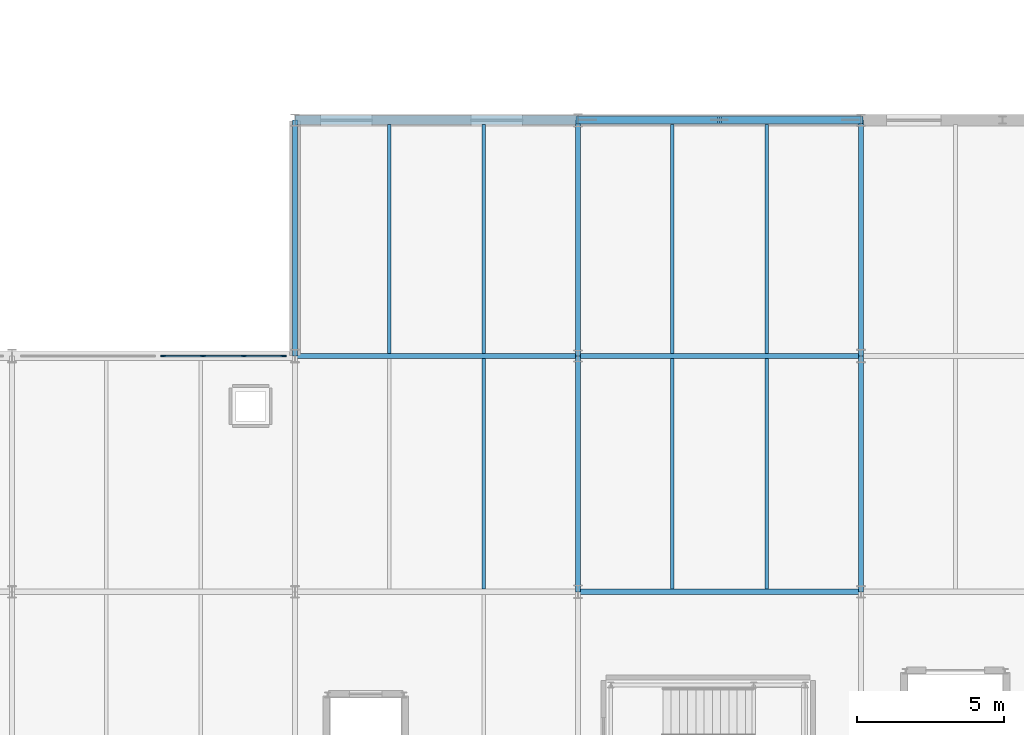
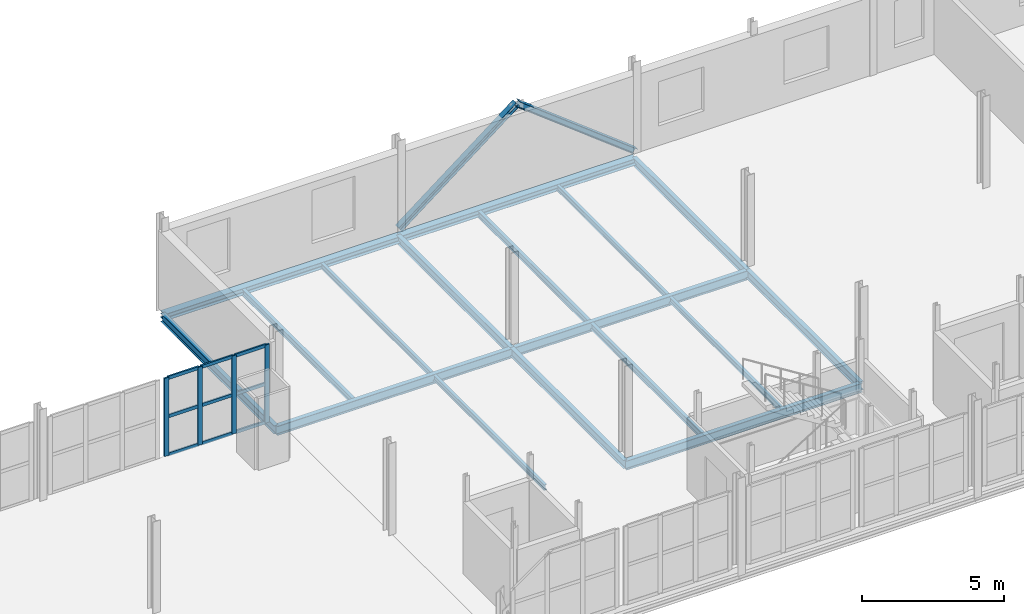
# One storey, part 52 of 85: 17 beams, 15 members, 1 element without a shape of its own.
"""IFC4 building model written with IfcOpenShell, lengths in metres."""

from ifc_helpers import new_model, si_unit, direction, frame, origin, origin_2d, place, context, subcontext, project, spatial, rectangle, i_section, extrude, material, layer, layer_set, material_profile, profile_set, type_object, element, aggregate, save


model = new_model("IFC4")

# Units and contexts
model_context = context("Model", 3, precision=1e-05, world=origin(), true_north=direction((0.0, 1.0)))
body_context = subcontext(model_context, "Body", "Model", "MODEL_VIEW")
ifc_project = project(units=[si_unit("LENGTHUNIT", "METRE"), si_unit("AREAUNIT", "SQUARE_METRE"), si_unit("VOLUMEUNIT", "CUBIC_METRE"), si_unit("PLANEANGLEUNIT", "RADIAN"), si_unit("MASSUNIT", "GRAM", prefix="KILO")], contexts=[model_context])

# Site, building, storey
site_placement = place(None, origin())
site = spatial("IfcSite", under=ifc_project, at=site_placement, CompositionType="ELEMENT")
building_placement = place(site_placement, origin())
building = spatial("IfcBuilding", under=site, at=building_placement, Name="Alderhovde Museum", CompositionType="ELEMENT")
storey_placement = place(building_placement, frame((0.0, 0.0, 8.699951171875)))
storey = spatial("IfcBuildingStorey", under=building, at=storey_placement, Name="L02", CompositionType="ELEMENT", Elevation=8.699951171875)

# Beams
ifc_material_1 = material(Name="Steel S355J2", Category="steel")
ifc_material_profile_1 = material_profile(ifc_material_1, i_section(OverallWidth=0.169921875, OverallDepth=0.360107421875, WebThickness=0.008056640625, FlangeThickness=0.0126953125, FilletRadius=0.01806640625, at=origin_2d()), Name="IPE 360")
ifc_profile_set_1 = profile_set([ifc_material_profile_1], Name="Steel S355J2")
beam_type_1 = type_object("IfcBeamType", Name="BM-IPE360", PredefinedType="BEAM", material=ifc_profile_set_1)
for number, where, z_axis, x_axis, name in (
    (1, (115.199951171875, 88.0, -0.43994140625), (0.0, 1.0, 0.0), (-1.0, 0.0, 0.0), "L02 Grid Beam X=115.2 (88.0 TO 96.0)"),
    (2, (124.800048828125, 80.0, -0.43994140625), (0.0, 1.0, 0.0), (-1.0, 0.0, 0.0), "L02 Grid Beam X=124.8 (80.0 TO 88.0)"),
    (3, (124.800048828125, 88.0, -0.43994140625), (0.0, 1.0, 0.0), (-1.0, 0.0, 0.0), "L02 Grid Beam X=124.8 (88.0 TO 96.0)"),
    (4, (134.39990234375, 80.0, -0.43994140625), (0.0, 1.0, 0.0), (-1.0, 0.0, 0.0), "L02 Grid Beam X=134.4 (80.0 TO 88.0)"),
    (5, (134.39990234375, 88.0, -0.43994140625), (0.0, 1.0, 0.0), (-1.0, 0.0, 0.0), "L02 Grid Beam X=134.4 (88.0 TO 96.0)"),
):
    element("IfcBeam", number, at=place(storey_placement, frame(where, z_axis=z_axis, x_axis=x_axis)), inside=storey, type_object=beam_type_1, Name=name, PredefinedType="BEAM", context=body_context, shape_type="SweptSolid", body=[
        extrude(i_section(OverallWidth=0.169921875, OverallDepth=0.360107421875, WebThickness=0.008056640625, FlangeThickness=0.0126953125, FilletRadius=0.01806640625, at=origin_2d()), origin(), (0.0, 0.0, 1.0), 8.0),
    ])
ifc_material_2 = material(Name="Steel S355J2", Category="steel")
ifc_material_profile_2 = material_profile(ifc_material_2, i_section(OverallWidth=0.179931640625, OverallDepth=0.39990234375, WebThickness=0.008544921875, FlangeThickness=0.013427734375, FilletRadius=0.02099609375, at=origin_2d()), Name="IPE 400")
ifc_profile_set_2 = profile_set([ifc_material_profile_2], Name="Steel S355J2")
beam_type_2 = type_object("IfcBeamType", Name="BM-IPE400", PredefinedType="BEAM", material=ifc_profile_set_2)
beam_1_placement = place(storey_placement, frame((124.800048828125, 80.0, -0.4599609375), z_axis=(1.0, 0.0, 0.0), x_axis=(0.0, 1.0, 0.0)))
element("IfcBeam", 6, at=beam_1_placement, inside=storey, type_object=beam_type_2, Name="L02 Grid Beam Y=80.0 (124.8 TO 134.4)", PredefinedType="BEAM", context=body_context, shape_type="SweptSolid", body=[
    extrude(i_section(OverallWidth=0.179931640625, OverallDepth=0.39990234375, WebThickness=0.008544921875, FlangeThickness=0.013427734375, FilletRadius=0.02099609375, at=origin_2d()), origin(), (0.0, 0.0, 1.0), 9.599853515625),
])
beam_2_placement = place(storey_placement, frame((115.199951171875, 88.0, -0.4599609375), z_axis=(1.0, 0.0, 0.0), x_axis=(0.0, 1.0, 0.0)))
element("IfcBeam", 7, at=beam_2_placement, inside=storey, type_object=beam_type_2, Name="L02 Grid Beam Y=88.0 (115.2 TO 124.8)", PredefinedType="BEAM", context=body_context, shape_type="SweptSolid", body=[
    extrude(i_section(OverallWidth=0.179931640625, OverallDepth=0.39990234375, WebThickness=0.008544921875, FlangeThickness=0.013427734375, FilletRadius=0.02099609375, at=origin_2d()), origin(), (0.0, 0.0, 1.0), 9.60009765625),
])
beam_3_placement = place(storey_placement, frame((124.800048828125, 88.0, -0.4599609375), z_axis=(1.0, 0.0, 0.0), x_axis=(0.0, 1.0, 0.0)))
element("IfcBeam", 8, at=beam_3_placement, inside=storey, type_object=beam_type_2, Name="L02 Grid Beam Y=88.0 (124.8 TO 134.4)", PredefinedType="BEAM", context=body_context, shape_type="SweptSolid", body=[
    extrude(i_section(OverallWidth=0.179931640625, OverallDepth=0.39990234375, WebThickness=0.008544921875, FlangeThickness=0.013427734375, FilletRadius=0.02099609375, at=origin_2d()), origin(), (0.0, 0.0, 1.0), 9.599853515625),
])

# Members
ifc_material_3 = material(Name="Steel S355J2", Category="steel")
ifc_material_profile_3 = material_profile(ifc_material_3, i_section(OverallWidth=0.239990234375, OverallDepth=0.22998046875, WebThickness=0.007568359375, FlangeThickness=0.011962890625, FilletRadius=0.02099609375, at=origin_2d()), Name="HEA 240")
ifc_profile_set_3 = profile_set([ifc_material_profile_3], Name="Steel S355J2")
member_type_1 = type_object("IfcMemberType", Name="BR-HEA240", PredefinedType="BRACE", material=ifc_profile_set_3)
member_1_placement = place(storey_placement, frame((124.800048828125, 96.0, 0.0), z_axis=(0.790420405146, 0.0, 0.612564758314), x_axis=(0.0, 1.0, 0.0)))
element("IfcMember", 9, at=member_1_placement, inside=storey, type_object=member_type_1, Name="L02 Chevron Brace BR-V5-N-L", PredefinedType="BRACE", context=body_context, shape_type="SweptSolid", body=[
    extrude(i_section(OverallWidth=0.239990234375, OverallDepth=0.22998046875, WebThickness=0.007568359375, FlangeThickness=0.011962890625, FilletRadius=0.02099609375, at=origin_2d()), origin(), (0.0, 0.0, 1.0), 6.07275390625),
])
member_2_placement = place(storey_placement, frame((134.39990234375, 96.0, 0.0), z_axis=(-0.790405319037, 0.0, 0.612584224118), x_axis=(0.0, -1.0, 0.0)))
element("IfcMember", 10, at=member_2_placement, inside=storey, type_object=member_type_1, Name="L02 Chevron Brace BR-V5-N-R", PredefinedType="BRACE", context=body_context, shape_type="SweptSolid", body=[
    extrude(i_section(OverallWidth=0.239990234375, OverallDepth=0.22998046875, WebThickness=0.007568359375, FlangeThickness=0.011962890625, FilletRadius=0.02099609375, at=origin_2d()), origin(), (0.0, 0.0, 1.0), 6.072509765625),
])

# Curtain wall, members
ifc_material_4 = material(Name="Triple-Glazed Bronze-Anodised Curtain Wall", Category="glass")
ifc_layer = layer(ifc_material_4, 0.179931640625)
ifc_layer_set = layer_set([ifc_layer], Name="Triple-Glazed Bronze-Anodised Curtain Wall")
curtain_wall_type = type_object("IfcCurtainWallType", Name="CW-UNIT-415x336", PredefinedType="USERDEFINED", material=ifc_layer_set)
curtain_wall_placement = place(storey_placement, origin())
curtain_wall = element("IfcCurtainWall", 11, at=curtain_wall_placement, inside=storey, type_object=curtain_wall_type, Name="L02 Unitised Curtain Wall 34", ObjectType="UNITISED CURTAIN WALL", PredefinedType="USERDEFINED")
ifc_material_5 = material(Name="Bronze-Anodised Aluminium EN AW-6063-T6", Category="aluminium")
ifc_material_profile_4 = material_profile(ifc_material_5, rectangle(XDim=0.06494140625, YDim=0.179931640625, at=origin_2d()), Name="MULLION 65x180")
ifc_profile_set_4 = profile_set([ifc_material_profile_4], Name="Bronze-Anodised Aluminium EN AW-6063-T6")
member_type_2 = type_object("IfcMemberType", Name="CWM-65x180", PredefinedType="MULLION", material=ifc_profile_set_4)
member_3_placement = place(storey_placement, frame((110.732421875, 88.0, 0.0), z_axis=(0.0, 0.0, 1.0), x_axis=(0.0, 1.0, 0.0)))
member_3 = element("IfcMember", 12, at=member_3_placement, type_object=member_type_2, Name="CW11 mullion 1", PredefinedType="MULLION", context=body_context, shape_type="SweptSolid", body=[
    extrude(rectangle(XDim=0.06494140625, YDim=0.179931640625, at=origin_2d()), origin(), (0.0, 0.0, 1.0), 3.360107421875),
])
member_4_placement = place(storey_placement, frame((112.083251953125, 88.0, 0.0), z_axis=(0.0, 0.0, 1.0), x_axis=(0.0, 1.0, 0.0)))
member_4 = element("IfcMember", 13, at=member_4_placement, type_object=member_type_2, Name="CW11 mullion 2", PredefinedType="MULLION", context=body_context, shape_type="SweptSolid", body=[
    extrude(rectangle(XDim=0.06494140625, YDim=0.179931640625, at=origin_2d()), origin(), (0.0, 0.0, 1.0), 3.360107421875),
])
member_5_placement = place(storey_placement, frame((113.466552734375, 88.0, 0.0), z_axis=(0.0, 0.0, 1.0), x_axis=(0.0, 1.0, 0.0)))
member_5 = element("IfcMember", 14, at=member_5_placement, type_object=member_type_2, Name="CW11 mullion 3", PredefinedType="MULLION", context=body_context, shape_type="SweptSolid", body=[
    extrude(rectangle(XDim=0.06494140625, YDim=0.179931640625, at=origin_2d()), origin(), (0.0, 0.0, 1.0), 3.360107421875),
])
member_6_placement = place(storey_placement, frame((114.8173828125, 88.0, 0.0), z_axis=(0.0, 0.0, 1.0), x_axis=(0.0, 1.0, 0.0)))
member_6 = element("IfcMember", 15, at=member_6_placement, type_object=member_type_2, Name="CW11 mullion 4", PredefinedType="MULLION", context=body_context, shape_type="SweptSolid", body=[
    extrude(rectangle(XDim=0.06494140625, YDim=0.179931640625, at=origin_2d()), origin(), (0.0, 0.0, 1.0), 3.360107421875),
])
ifc_material_6 = material(Name="Bronze-Anodised Aluminium EN AW-6063-T6", Category="aluminium")
ifc_material_profile_5 = material_profile(ifc_material_6, rectangle(XDim=0.06494140625, YDim=0.139892578125, at=origin_2d()), Name="TRANSOM 65x140")
ifc_profile_set_5 = profile_set([ifc_material_profile_5], Name="Bronze-Anodised Aluminium EN AW-6063-T6")
member_type_3 = type_object("IfcMemberType", Name="CWT-65x140", PredefinedType="USERDEFINED", material=ifc_profile_set_5)
member_7_placement = place(storey_placement, frame((110.764892578125, 88.0, 0.032470703125), z_axis=(1.0, 0.0, 0.0), x_axis=(0.0, 1.0, 0.0)))
member_7 = element("IfcMember", 16, at=member_7_placement, type_object=member_type_3, Name="CW11 transom 1.1", ObjectType="TRANSOM", PredefinedType="USERDEFINED", context=body_context, shape_type="SweptSolid", body=[
    extrude(rectangle(XDim=0.06494140625, YDim=0.139892578125, at=origin_2d()), origin(), (0.0, 0.0, 1.0), 1.285888671875),
])
member_8_placement = place(storey_placement, frame((110.764892578125, 88.0, 1.679931640625), z_axis=(1.0, 0.0, 0.0), x_axis=(0.0, 1.0, 0.0)))
member_8 = element("IfcMember", 17, at=member_8_placement, type_object=member_type_3, Name="CW11 transom 1.2", ObjectType="TRANSOM", PredefinedType="USERDEFINED", context=body_context, shape_type="SweptSolid", body=[
    extrude(rectangle(XDim=0.06494140625, YDim=0.139892578125, at=origin_2d()), origin(), (0.0, 0.0, 1.0), 1.285888671875),
])
member_9_placement = place(storey_placement, frame((110.764892578125, 88.0, 3.32763671875), z_axis=(1.0, 0.0, 0.0), x_axis=(0.0, 1.0, 0.0)))
member_9 = element("IfcMember", 18, at=member_9_placement, type_object=member_type_3, Name="CW11 transom 1.3", ObjectType="TRANSOM", PredefinedType="USERDEFINED", context=body_context, shape_type="SweptSolid", body=[
    extrude(rectangle(XDim=0.06494140625, YDim=0.139892578125, at=origin_2d()), origin(), (0.0, 0.0, 1.0), 1.285888671875),
])
member_10_placement = place(storey_placement, frame((112.11572265625, 88.0, 0.032470703125), z_axis=(1.0, 0.0, 0.0), x_axis=(0.0, 1.0, 0.0)))
member_10 = element("IfcMember", 19, at=member_10_placement, type_object=member_type_3, Name="CW11 transom 2.1", ObjectType="TRANSOM", PredefinedType="USERDEFINED", context=body_context, shape_type="SweptSolid", body=[
    extrude(rectangle(XDim=0.06494140625, YDim=0.139892578125, at=origin_2d()), origin(), (0.0, 0.0, 1.0), 1.318359375),
])
member_11_placement = place(storey_placement, frame((112.11572265625, 88.0, 1.679931640625), z_axis=(1.0, 0.0, 0.0), x_axis=(0.0, 1.0, 0.0)))
member_11 = element("IfcMember", 20, at=member_11_placement, type_object=member_type_3, Name="CW11 transom 2.2", ObjectType="TRANSOM", PredefinedType="USERDEFINED", context=body_context, shape_type="SweptSolid", body=[
    extrude(rectangle(XDim=0.06494140625, YDim=0.139892578125, at=origin_2d()), origin(), (0.0, 0.0, 1.0), 1.318359375),
])
member_12_placement = place(storey_placement, frame((112.11572265625, 88.0, 3.32763671875), z_axis=(1.0, 0.0, 0.0), x_axis=(0.0, 1.0, 0.0)))
member_12 = element("IfcMember", 21, at=member_12_placement, type_object=member_type_3, Name="CW11 transom 2.3", ObjectType="TRANSOM", PredefinedType="USERDEFINED", context=body_context, shape_type="SweptSolid", body=[
    extrude(rectangle(XDim=0.06494140625, YDim=0.139892578125, at=origin_2d()), origin(), (0.0, 0.0, 1.0), 1.318359375),
])
member_13_placement = place(storey_placement, frame((113.499267578125, 88.0, 0.032470703125), z_axis=(1.0, 0.0, 0.0), x_axis=(0.0, 1.0, 0.0)))
member_13 = element("IfcMember", 22, at=member_13_placement, type_object=member_type_3, Name="CW11 transom 3.1", ObjectType="TRANSOM", PredefinedType="USERDEFINED", context=body_context, shape_type="SweptSolid", body=[
    extrude(rectangle(XDim=0.06494140625, YDim=0.139892578125, at=origin_2d()), origin(), (0.0, 0.0, 1.0), 1.28564453125),
])
member_14_placement = place(storey_placement, frame((113.499267578125, 88.0, 1.679931640625), z_axis=(1.0, 0.0, 0.0), x_axis=(0.0, 1.0, 0.0)))
member_14 = element("IfcMember", 23, at=member_14_placement, type_object=member_type_3, Name="CW11 transom 3.2", ObjectType="TRANSOM", PredefinedType="USERDEFINED", context=body_context, shape_type="SweptSolid", body=[
    extrude(rectangle(XDim=0.06494140625, YDim=0.139892578125, at=origin_2d()), origin(), (0.0, 0.0, 1.0), 1.28564453125),
])
member_15_placement = place(storey_placement, frame((113.499267578125, 88.0, 3.32763671875), z_axis=(1.0, 0.0, 0.0), x_axis=(0.0, 1.0, 0.0)))
member_15 = element("IfcMember", 24, at=member_15_placement, type_object=member_type_3, Name="CW11 transom 3.3", ObjectType="TRANSOM", PredefinedType="USERDEFINED", context=body_context, shape_type="SweptSolid", body=[
    extrude(rectangle(XDim=0.06494140625, YDim=0.139892578125, at=origin_2d()), origin(), (0.0, 0.0, 1.0), 1.28564453125),
])
aggregate(curtain_wall, [member_3, member_4, member_5, member_6, member_7, member_8, member_9, member_10, member_11, member_12, member_13, member_14, member_15])

# Beams
ifc_material_7 = material(Name="Steel S355J2", Category="steel")
ifc_material_profile_6 = material_profile(ifc_material_7, i_section(OverallWidth=0.1201171875, OverallDepth=0.239990234375, WebThickness=0.006103515625, FlangeThickness=0.009765625, FilletRadius=0.014892578125, at=origin_2d()), Name="IPE 240")
ifc_profile_set_6 = profile_set([ifc_material_profile_6], Name="Steel S355J2")
beam_type_3 = type_object("IfcBeamType", Name="JST-IPE240", PredefinedType="JOIST", material=ifc_profile_set_6)
beam_4_placement = place(storey_placement, frame((121.60009765625, 80.090087890625, -0.3798828125), z_axis=(0.0, 1.0, 0.0), x_axis=(-1.0, 0.0, 0.0)))
element("IfcBeam", 25, at=beam_4_placement, inside=storey, type_object=beam_type_3, Name="L02 Composite Joist X=121.6 (80.0 TO 88.0)", PredefinedType="JOIST", context=body_context, shape_type="SweptSolid", body=[
    extrude(i_section(OverallWidth=0.1201171875, OverallDepth=0.239990234375, WebThickness=0.006103515625, FlangeThickness=0.009765625, FilletRadius=0.014892578125, at=origin_2d()), origin(), (0.0, 0.0, 1.0), 7.81982421875),
])
beam_5_placement = place(storey_placement, frame((121.60009765625, 88.090087890625, -0.3798828125), z_axis=(0.0, 1.0, 0.0), x_axis=(-1.0, 0.0, 0.0)))
element("IfcBeam", 26, at=beam_5_placement, inside=storey, type_object=beam_type_3, Name="L02 Composite Joist X=121.6 (88.0 TO 96.0)", PredefinedType="JOIST", context=body_context, shape_type="SweptSolid", body=[
    extrude(i_section(OverallWidth=0.1201171875, OverallDepth=0.239990234375, WebThickness=0.006103515625, FlangeThickness=0.009765625, FilletRadius=0.014892578125, at=origin_2d()), origin(), (0.0, 0.0, 1.0), 7.760009765625),
])
beam_6_placement = place(storey_placement, frame((131.199951171875, 80.090087890625, -0.3798828125), z_axis=(0.0, 1.0, 0.0), x_axis=(-1.0, 0.0, 0.0)))
element("IfcBeam", 27, at=beam_6_placement, inside=storey, type_object=beam_type_3, Name="L02 Composite Joist X=131.2 (80.0 TO 88.0)", PredefinedType="JOIST", context=body_context, shape_type="SweptSolid", body=[
    extrude(i_section(OverallWidth=0.1201171875, OverallDepth=0.239990234375, WebThickness=0.006103515625, FlangeThickness=0.009765625, FilletRadius=0.014892578125, at=origin_2d()), origin(), (0.0, 0.0, 1.0), 7.81982421875),
])
beam_7_placement = place(storey_placement, frame((131.199951171875, 88.090087890625, -0.3798828125), z_axis=(0.0, 1.0, 0.0), x_axis=(-1.0, 0.0, 0.0)))
element("IfcBeam", 28, at=beam_7_placement, inside=storey, type_object=beam_type_3, Name="L02 Composite Joist X=131.2 (88.0 TO 96.0)", PredefinedType="JOIST", context=body_context, shape_type="SweptSolid", body=[
    extrude(i_section(OverallWidth=0.1201171875, OverallDepth=0.239990234375, WebThickness=0.006103515625, FlangeThickness=0.009765625, FilletRadius=0.014892578125, at=origin_2d()), origin(), (0.0, 0.0, 1.0), 7.760009765625),
])
ifc_material_8 = material(Name="Steel S355J2", Category="steel")
ifc_material_profile_7 = material_profile(ifc_material_8, i_section(OverallWidth=0.135009765625, OverallDepth=0.27001953125, WebThickness=0.006591796875, FlangeThickness=0.01025390625, FilletRadius=0.014892578125, at=origin_2d()), Name="IPE 270")
ifc_profile_set_7 = profile_set([ifc_material_profile_7], Name="Steel S355J2")
beam_type_4 = type_object("IfcBeamType", Name="JST-IPE270", PredefinedType="JOIST", material=ifc_profile_set_7)
beam_8_placement = place(storey_placement, frame((118.39990234375, 88.090087890625, -0.39501953125), z_axis=(0.0, 1.0, 0.0), x_axis=(-1.0, 0.0, 0.0)))
element("IfcBeam", 29, at=beam_8_placement, inside=storey, type_object=beam_type_4, Name="L02 Composite Joist X=118.4 (88.0 TO 96.0)", PredefinedType="JOIST", context=body_context, shape_type="SweptSolid", body=[
    extrude(i_section(OverallWidth=0.135009765625, OverallDepth=0.27001953125, WebThickness=0.006591796875, FlangeThickness=0.01025390625, FilletRadius=0.014892578125, at=origin_2d()), origin(), (0.0, 0.0, 1.0), 7.760009765625),
])
beam_9_placement = place(storey_placement, frame((128.0, 80.090087890625, -0.39501953125), z_axis=(0.0, 1.0, 0.0), x_axis=(-1.0, 0.0, 0.0)))
element("IfcBeam", 30, at=beam_9_placement, inside=storey, type_object=beam_type_4, Name="L02 Composite Joist X=128.0 (80.0 TO 88.0)", PredefinedType="JOIST", context=body_context, shape_type="SweptSolid", body=[
    extrude(i_section(OverallWidth=0.135009765625, OverallDepth=0.27001953125, WebThickness=0.006591796875, FlangeThickness=0.01025390625, FilletRadius=0.014892578125, at=origin_2d()), origin(), (0.0, 0.0, 1.0), 7.81982421875),
])
beam_10_placement = place(storey_placement, frame((128.0, 88.090087890625, -0.39501953125), z_axis=(0.0, 1.0, 0.0), x_axis=(-1.0, 0.0, 0.0)))
element("IfcBeam", 31, at=beam_10_placement, inside=storey, type_object=beam_type_4, Name="L02 Composite Joist X=128.0 (88.0 TO 96.0)", PredefinedType="JOIST", context=body_context, shape_type="SweptSolid", body=[
    extrude(i_section(OverallWidth=0.135009765625, OverallDepth=0.27001953125, WebThickness=0.006591796875, FlangeThickness=0.01025390625, FilletRadius=0.014892578125, at=origin_2d()), origin(), (0.0, 0.0, 1.0), 7.760009765625),
])
ifc_material_9 = material(Name="Steel S355J2", Category="steel")
ifc_material_profile_8 = material_profile(ifc_material_9, i_section(OverallWidth=0.300048828125, OverallDepth=0.2900390625, WebThickness=0.008544921875, FlangeThickness=0.013916015625, FilletRadius=0.027099609375, at=origin_2d()), Name="HEA 300")
ifc_profile_set_8 = profile_set([ifc_material_profile_8], Name="Steel S355J2")
beam_type_5 = type_object("IfcBeamType", Name="SPD-HEA300", PredefinedType="SPANDREL", material=ifc_profile_set_8)
beam_11_placement = place(storey_placement, frame((115.199951171875, 96.0, -0.405029296875), z_axis=(1.0, 0.0, 0.0), x_axis=(0.0, 1.0, 0.0)))
element("IfcBeam", 32, at=beam_11_placement, inside=storey, type_object=beam_type_5, Name="L02 Grid Beam Y=96.0 (115.2 TO 124.8)", PredefinedType="SPANDREL", context=body_context, shape_type="SweptSolid", body=[
    extrude(i_section(OverallWidth=0.300048828125, OverallDepth=0.2900390625, WebThickness=0.008544921875, FlangeThickness=0.013916015625, FilletRadius=0.027099609375, at=origin_2d()), origin(), (0.0, 0.0, 1.0), 9.60009765625),
])
beam_12_placement = place(storey_placement, frame((124.800048828125, 96.0, -0.405029296875), z_axis=(1.0, 0.0, 0.0), x_axis=(0.0, 1.0, 0.0)))
element("IfcBeam", 33, at=beam_12_placement, inside=storey, type_object=beam_type_5, Name="L02 Grid Beam Y=96.0 (124.8 TO 134.4)", PredefinedType="SPANDREL", context=body_context, shape_type="SweptSolid", body=[
    extrude(i_section(OverallWidth=0.300048828125, OverallDepth=0.2900390625, WebThickness=0.008544921875, FlangeThickness=0.013916015625, FilletRadius=0.027099609375, at=origin_2d()), origin(), (0.0, 0.0, 1.0), 9.599853515625),
])

save(model, "model.ifc")
